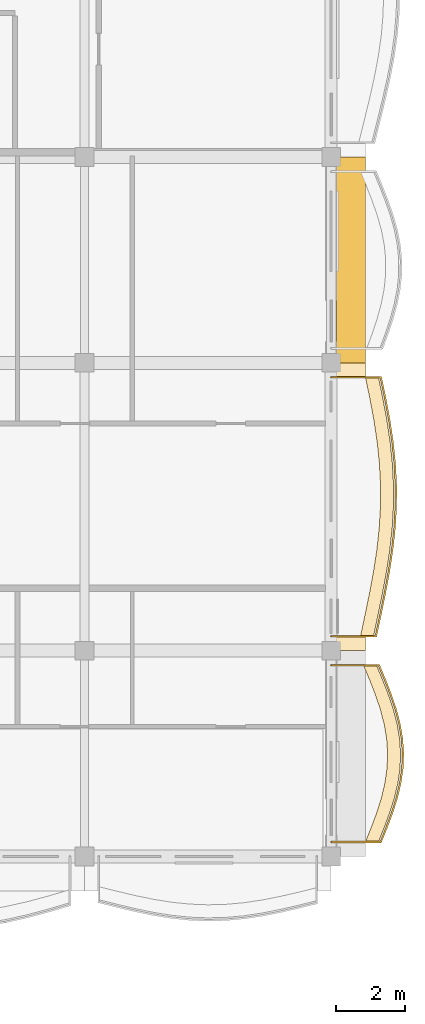
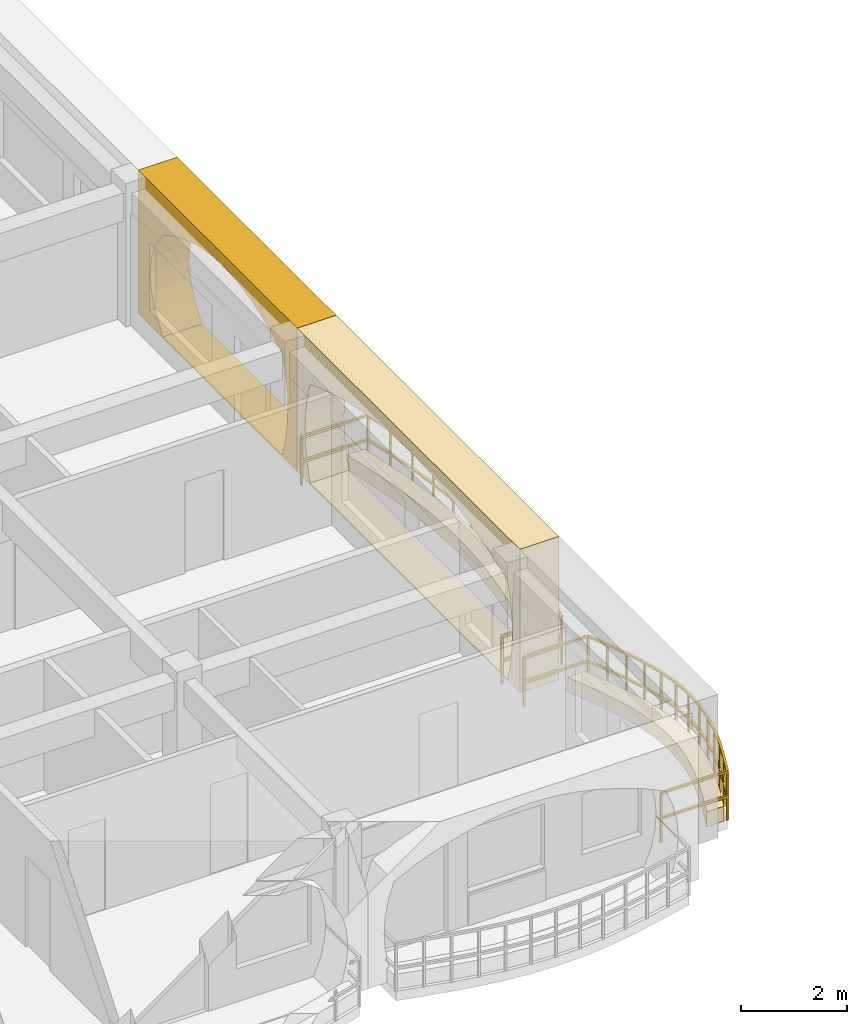
# One storey, part 93 of 101: 4 coverings, 2 railings.
"""IFC4 building model written with IfcOpenShell, lengths in metres."""

from ifc_helpers import new_model, si_unit, direction, frame, origin, origin_2d, place, context, subcontext, project, spatial, polyline, rectangle, outline, extrude, material, layer, layer_set, type_object, element, save


model = new_model("IFC4")

# Units and contexts
model_context = context("Model", 3, precision=1e-05, world=origin(), true_north=direction((0.0, 1.0)))
body_context = subcontext(model_context, "Body", "Model", "MODEL_VIEW")
ifc_project = project(units=[si_unit("LENGTHUNIT", "METRE"), si_unit("AREAUNIT", "SQUARE_METRE"), si_unit("VOLUMEUNIT", "CUBIC_METRE"), si_unit("PLANEANGLEUNIT", "RADIAN"), si_unit("MASSUNIT", "GRAM", prefix="KILO"), si_unit("THERMODYNAMICTEMPERATUREUNIT", "KELVIN")], contexts=[model_context])

# Site, building, storey
site_placement = place(None, origin())
site = spatial("IfcSite", under=ifc_project, at=site_placement, CompositionType="ELEMENT")
building_placement = place(site_placement, origin())
building = spatial("IfcBuilding", under=site, at=building_placement, Name="Thalorik Housing Commons", CompositionType="ELEMENT")
storey_placement = place(building_placement, frame((0.0, 0.0, 8.10009765625)))
storey = spatial("IfcBuildingStorey", under=building, at=storey_placement, Name="L02", CompositionType="ELEMENT", Elevation=8.10009765625)

# Coverings
ifc_material_1 = material(Name="Precast concrete C40/50", Category="concrete")
ifc_layer_1 = layer(ifc_material_1, 0.85009765625, Name="Precast concrete C40/50", Category="concrete")
ifc_layer_set_1 = layer_set([ifc_layer_1], Name="Precast concrete C40/50")
covering_type_1 = type_object("IfcCoveringType", Name="ARC-CLD-CUSH-850", PredefinedType="CLADDING", material=ifc_layer_set_1)
covering_1_placement = place(storey_placement, frame((174.577392578125, 47.39990234375, 0.0), z_axis=(0.0, 0.0, 1.0), x_axis=(0.0, 1.0, 0.0)))
element("IfcCovering", 1, at=covering_1_placement, inside=storey, type_object=covering_type_1, Name="L02 White Precast Curved Cushion Bay Frame 4674", PredefinedType="CLADDING", context=body_context, shape_type="SweptSolid", body=[
    extrude(outline(polyline([(-4.199951171875, 0.0), (4.199951171875, 0.0), (4.199951171875, 3.300048828125), (-4.199951171875, 3.300048828125), (-4.199951171875, 0.0)]), holes=[polyline([(3.7177734375, 0.02490234375), (3.819580078125, 0.404296875), (3.880615234375, 0.783203125), (3.90087890625, 1.16259765625), (3.880615234375, 1.541748046875), (3.819580078125, 1.9208984375), (3.7177734375, 2.300048828125), (3.095947265625, 2.525390625), (2.47412109375, 2.7021484375), (1.85205078125, 2.845458984375), (1.230224609375, 2.951904296875), (0.6083984375, 3.017822265625), (-0.013671875, 3.0400390625), (-0.635498046875, 3.017822265625), (-1.25732421875, 2.951904296875), (-1.87939453125, 2.845458984375), (-2.501220703125, 2.7021484375), (-3.123046875, 2.525390625), (-3.7451171875, 2.300048828125), (-3.841064453125, 1.9208984375), (-3.898681640625, 1.541748046875), (-3.91796875, 1.16259765625), (-3.898681640625, 0.783203125), (-3.841064453125, 0.404296875), (-3.7451171875, 0.02490234375), (3.7177734375, 0.02490234375)])]), frame((0.0, 0.425048828125, 0.0), z_axis=(0.0, -1.0, 0.0), x_axis=(1.0, 0.0, 0.0)), (0.0, 0.0, 1.0), 0.85009765625),
])
covering_2_placement = place(storey_placement, frame((174.577392578125, 54.60009765625, 0.0), z_axis=(0.0, 0.0, 1.0), x_axis=(0.0, 1.0, 0.0)))
element("IfcCovering", 2, at=covering_2_placement, inside=storey, type_object=covering_type_1, Name="L02 White Precast Curved Cushion Bay Frame 4676", PredefinedType="CLADDING", context=body_context, shape_type="SweptSolid", body=[
    extrude(outline(polyline([(-3.0, 0.0), (3.0, 0.0), (3.0, 3.300048828125), (-3.0, 3.300048828125), (-3.0, 0.0)]), holes=[polyline([(2.06494140625, 0.02490234375), (2.33447265625, 0.415771484375), (2.49609375, 0.806640625), (2.550048828125, 1.197509765625), (2.49609375, 1.58837890625), (2.33447265625, 1.979248046875), (2.06494140625, 2.3701171875), (1.6904296875, 2.573974609375), (1.31591796875, 2.734130859375), (0.94140625, 2.864013671875), (0.566650390625, 2.960205078125), (0.192138671875, 3.02001953125), (-0.1826171875, 3.0400390625), (-0.55712890625, 3.02001953125), (-0.931640625, 2.960205078125), (-1.30615234375, 2.864013671875), (-1.680908203125, 2.734130859375), (-2.055419921875, 2.573974609375), (-2.429931640625, 2.3701171875), (-2.55029296875, 1.979248046875), (-2.62255859375, 1.58837890625), (-2.646484375, 1.197509765625), (-2.62255859375, 0.806640625), (-2.55029296875, 0.415771484375), (-2.429931640625, 0.02490234375), (2.06494140625, 0.02490234375)])]), frame((0.0, 0.425048828125, 0.0), z_axis=(0.0, -1.0, 0.0), x_axis=(1.0, 0.0, 0.0)), (0.0, 0.0, 1.0), 0.85009765625),
])
ifc_material_2 = material(Name="Planted vegetated substrate and terracotta trough", Category="masonry")
ifc_layer_2 = layer(ifc_material_2, 0.340087890625, Name="Planted vegetated substrate and terracotta trough", Category="masonry")
ifc_layer_set_2 = layer_set([ifc_layer_2], Name="Planted vegetated substrate and terracotta trough")
covering_type_2 = type_object("IfcCoveringType", Name="ARC-COV-PLANTER", PredefinedType="USERDEFINED", material=ifc_layer_set_2)
covering_3_placement = place(storey_placement, origin())
element("IfcCovering", 3, at=covering_3_placement, inside=storey, type_object=covering_type_2, Name="L02 Balcony Slab-Edge Planted Trough 5645", ObjectType="PLANTER", PredefinedType="USERDEFINED", context=body_context, shape_type="SweptSolid", body=[
    extrude(outline(polyline([(175.376220703125, 37.6201171875), (175.55029296875, 38.050048828125), (175.710205078125, 38.47998046875), (175.845458984375, 38.909912109375), (175.947265625, 39.340087890625), (176.0087890625, 39.77001953125), (176.02587890625, 40.199951171875), (175.997314453125, 40.6298828125), (175.9248046875, 41.06005859375), (175.8125, 41.489990234375), (175.668212890625, 41.919921875), (175.50048828125, 42.35009765625), (175.32080078125, 42.780029296875), (174.940673828125, 42.780029296875), (175.12060546875, 42.35009765625), (175.2880859375, 41.919921875), (175.4326171875, 41.489990234375), (175.544677734375, 41.06005859375), (175.6171875, 40.6298828125), (175.64599609375, 40.199951171875), (175.62890625, 39.77001953125), (175.567138671875, 39.340087890625), (175.46533203125, 38.909912109375), (175.330078125, 38.47998046875), (175.170166015625, 38.050048828125), (174.996337890625, 37.6201171875), (175.376220703125, 37.6201171875)])), origin(), (0.0, 0.0, 1.0), 0.33984375),
])
covering_4_placement = place(storey_placement, origin())
element("IfcCovering", 4, at=covering_4_placement, inside=storey, type_object=covering_type_2, Name="L02 Balcony Slab-Edge Planted Trough 5646", ObjectType="PLANTER", PredefinedType="USERDEFINED", context=body_context, shape_type="SweptSolid", body=[
    extrude(outline(polyline([(175.234130859375, 43.6201171875), (175.367919921875, 44.25), (175.49755859375, 44.8798828125), (175.614501953125, 45.510009765625), (175.710693359375, 46.139892578125), (175.779541015625, 46.77001953125), (175.816650390625, 47.39990234375), (175.81884765625, 48.030029296875), (175.786376953125, 48.659912109375), (175.720947265625, 49.2900390625), (175.626708984375, 49.919921875), (175.510009765625, 50.550048828125), (175.378662109375, 51.179931640625), (174.99853515625, 51.179931640625), (175.1298828125, 50.550048828125), (175.24658203125, 49.919921875), (175.3408203125, 49.2900390625), (175.406494140625, 48.659912109375), (175.43896484375, 48.030029296875), (175.4365234375, 47.39990234375), (175.399658203125, 46.77001953125), (175.330810546875, 46.139892578125), (175.234619140625, 45.510009765625), (175.11767578125, 44.8798828125), (174.98779296875, 44.25), (174.854248046875, 43.6201171875), (175.234130859375, 43.6201171875)])), origin(), (0.0, 0.0, 1.0), 0.33984375),
])

# Railings
ifc_material_3 = material(Name="Steel S355", Category="steel")
railing_type_1 = type_object("IfcRailingType", Name="ARC-RL-BAL-112", PredefinedType="BALUSTRADE", material=ifc_material_3)
railing_1_placement = place(storey_placement, frame((174.0, 43.6201171875, 0.0)))
element("IfcRailing", 5, at=railing_1_placement, inside=storey, type_object=railing_type_1, Name="L02 Cushion Balcony Guardrail 330", PredefinedType="BALUSTRADE", context=body_context, shape_type="SweptSolid", body=[
    extrude(rectangle(XDim=0.050048828125, YDim=0.050048828125, at=origin_2d()), frame((0.0, 0.0, 1.09521484375), z_axis=(1.0, 0.0, 0.0), x_axis=(0.0, 1.0, 0.0)), (0.0, 0.0, 1.0), 1.30419921875),
    extrude(rectangle(XDim=0.050048828125, YDim=0.050048828125, at=origin_2d()), frame((0.0, 0.0, 0.53515625), z_axis=(1.0, 0.0, 0.0), x_axis=(0.0, 1.0, 0.0)), (0.0, 0.0, 1.0), 1.30419921875),
    extrude(rectangle(XDim=0.050048828125, YDim=0.050048828125, at=origin_2d()), frame((1.30419921875, 0.0, 1.09521484375), z_axis=(0.207768065423, 0.978178118233, 0.0), x_axis=(-0.978178118233, 0.207768065423, 0.0)), (0.0, 0.0, 1.0), 0.64404296875),
    extrude(rectangle(XDim=0.050048828125, YDim=0.050048828125, at=origin_2d()), frame((1.30419921875, 0.0, 0.53515625), z_axis=(0.207768065423, 0.978178118233, 0.0), x_axis=(-0.978178118233, 0.207768065423, 0.0)), (0.0, 0.0, 1.0), 0.64404296875),
    extrude(rectangle(XDim=0.050048828125, YDim=0.050048828125, at=origin_2d()), frame((1.43798828125, 0.6298828125, 1.09521484375), z_axis=(0.201588649293, 0.979470273401, 0.0), x_axis=(-0.979470273401, 0.201588649293, 0.0)), (0.0, 0.0, 1.0), 0.64306640625),
    extrude(rectangle(XDim=0.050048828125, YDim=0.050048828125, at=origin_2d()), frame((1.43798828125, 0.6298828125, 0.53515625), z_axis=(0.201588649293, 0.979470273401, 0.0), x_axis=(-0.979470273401, 0.201588649293, 0.0)), (0.0, 0.0, 1.0), 0.64306640625),
    extrude(rectangle(XDim=0.050048828125, YDim=0.050048828125, at=origin_2d()), frame((1.567626953125, 1.259765625, 1.09521484375), z_axis=(0.182471198861, 0.983211198872, 0.0), x_axis=(-0.983211198872, 0.182471198861, 0.0)), (0.0, 0.0, 1.0), 0.640869140625),
    extrude(rectangle(XDim=0.050048828125, YDim=0.050048828125, at=origin_2d()), frame((1.567626953125, 1.259765625, 0.53515625), z_axis=(0.182471198861, 0.983211198872, 0.0), x_axis=(-0.983211198872, 0.182471198861, 0.0)), (0.0, 0.0, 1.0), 0.640869140625),
    extrude(rectangle(XDim=0.050048828125, YDim=0.050048828125, at=origin_2d()), frame((1.6845703125, 1.889892578125, 1.09521484375), z_axis=(0.150962995847, 0.988539414432, 0.0), x_axis=(-0.988539414432, 0.150962995847, 0.0)), (0.0, 0.0, 1.0), 0.63720703125),
    extrude(rectangle(XDim=0.050048828125, YDim=0.050048828125, at=origin_2d()), frame((1.6845703125, 1.889892578125, 0.53515625), z_axis=(0.150962995847, 0.988539414432, 0.0), x_axis=(-0.988539414432, 0.150962995847, 0.0)), (0.0, 0.0, 1.0), 0.63720703125),
    extrude(rectangle(XDim=0.050048828125, YDim=0.050048828125, at=origin_2d()), frame((1.78076171875, 2.519775390625, 1.09521484375), z_axis=(0.108613599509, 0.994084043732, 0.0), x_axis=(-0.994084043732, 0.108613599509, 0.0)), (0.0, 0.0, 1.0), 0.6337890625),
    extrude(rectangle(XDim=0.050048828125, YDim=0.050048828125, at=origin_2d()), frame((1.78076171875, 2.519775390625, 0.53515625), z_axis=(0.108613599509, 0.994084043732, 0.0), x_axis=(-0.994084043732, 0.108613599509, 0.0)), (0.0, 0.0, 1.0), 0.6337890625),
    extrude(rectangle(XDim=0.050048828125, YDim=0.050048828125, at=origin_2d()), frame((1.849609375, 3.14990234375, 1.09521484375), z_axis=(0.05881274918, 0.998269032142, 0.0), x_axis=(-0.998269032142, 0.05881274918, 0.0)), (0.0, 0.0, 1.0), 0.630859375),
    extrude(rectangle(XDim=0.050048828125, YDim=0.050048828125, at=origin_2d()), frame((1.849609375, 3.14990234375, 0.53515625), z_axis=(0.05881274918, 0.998269032142, 0.0), x_axis=(-0.998269032142, 0.05881274918, 0.0)), (0.0, 0.0, 1.0), 0.630859375),
    extrude(rectangle(XDim=0.050048828125, YDim=0.050048828125, at=origin_2d()), frame((1.88671875, 3.77978515625, 1.09521484375), z_axis=(0.003486999335, 0.999993920399, 0.0), x_axis=(-0.999993920399, 0.003486999335, 0.0)), (0.0, 0.0, 1.0), 0.630126953125),
    extrude(rectangle(XDim=0.050048828125, YDim=0.050048828125, at=origin_2d()), frame((1.88671875, 3.77978515625, 0.53515625), z_axis=(0.003486999335, 0.999993920399, 0.0), x_axis=(-0.999993920399, 0.003486999335, 0.0)), (0.0, 0.0, 1.0), 0.630126953125),
    extrude(rectangle(XDim=0.050048828125, YDim=0.050048828125, at=origin_2d()), frame((1.888916015625, 4.409912109375, 1.09521484375), z_axis=(-0.051482027719, 0.998673921168, 0.0), x_axis=(-0.998673921168, -0.051482027719, 0.0)), (0.0, 0.0, 1.0), 0.630615234375),
    extrude(rectangle(XDim=0.050048828125, YDim=0.050048828125, at=origin_2d()), frame((1.888916015625, 4.409912109375, 0.53515625), z_axis=(-0.051482027719, 0.998673921168, 0.0), x_axis=(-0.998673921168, -0.051482027719, 0.0)), (0.0, 0.0, 1.0), 0.630615234375),
    extrude(rectangle(XDim=0.050048828125, YDim=0.050048828125, at=origin_2d()), frame((1.8564453125, 5.039794921875, 1.09521484375), z_axis=(-0.103280437855, 0.994652276505, 0.0), x_axis=(-0.994652276505, -0.103280437855, 0.0)), (0.0, 0.0, 1.0), 0.633544921875),
    extrude(rectangle(XDim=0.050048828125, YDim=0.050048828125, at=origin_2d()), frame((1.8564453125, 5.039794921875, 0.53515625), z_axis=(-0.103280437855, 0.994652276505, 0.0), x_axis=(-0.994652276505, -0.103280437855, 0.0)), (0.0, 0.0, 1.0), 0.633544921875),
    extrude(rectangle(XDim=0.050048828125, YDim=0.050048828125, at=origin_2d()), frame((1.791015625, 5.669921875, 1.09521484375), z_axis=(-0.147965546983, 0.988992516102, 0.0), x_axis=(-0.988992516102, -0.147965546983, 0.0)), (0.0, 0.0, 1.0), 0.636962890625),
    extrude(rectangle(XDim=0.050048828125, YDim=0.050048828125, at=origin_2d()), frame((1.791015625, 5.669921875, 0.53515625), z_axis=(-0.147965546983, 0.988992516102, 0.0), x_axis=(-0.988992516102, -0.147965546983, 0.0)), (0.0, 0.0, 1.0), 0.636962890625),
    extrude(rectangle(XDim=0.050048828125, YDim=0.050048828125, at=origin_2d()), frame((1.69677734375, 6.2998046875, 1.09521484375), z_axis=(-0.18210290227, 0.983279478574, 0.0), x_axis=(-0.983279478574, -0.18210290227, 0.0)), (0.0, 0.0, 1.0), 0.640869140625),
    extrude(rectangle(XDim=0.050048828125, YDim=0.050048828125, at=origin_2d()), frame((1.69677734375, 6.2998046875, 0.53515625), z_axis=(-0.18210290227, 0.983279478574, 0.0), x_axis=(-0.983279478574, -0.18210290227, 0.0)), (0.0, 0.0, 1.0), 0.640869140625),
    extrude(rectangle(XDim=0.050048828125, YDim=0.050048828125, at=origin_2d()), frame((1.580078125, 6.929931640625, 1.09521484375), z_axis=(-0.204499657567, 0.978866635479, 0.0), x_axis=(-0.978866635479, -0.204499657567, 0.0)), (0.0, 0.0, 1.0), 0.6435546875),
    extrude(rectangle(XDim=0.050048828125, YDim=0.050048828125, at=origin_2d()), frame((1.580078125, 6.929931640625, 0.53515625), z_axis=(-0.204499657567, 0.978866635479, 0.0), x_axis=(-0.978866635479, -0.204499657567, 0.0)), (0.0, 0.0, 1.0), 0.6435546875),
    extrude(rectangle(XDim=0.050048828125, YDim=0.050048828125, at=origin_2d()), frame((1.448486328125, 7.559814453125, 1.09521484375), z_axis=(-1.0, 0.0, 0.0), x_axis=(0.0, -1.0, 0.0)), (0.0, 0.0, 1.0), 1.448486328125),
    extrude(rectangle(XDim=0.050048828125, YDim=0.050048828125, at=origin_2d()), frame((1.448486328125, 7.559814453125, 0.53515625), z_axis=(-1.0, 0.0, 0.0), x_axis=(0.0, -1.0, 0.0)), (0.0, 0.0, 1.0), 1.448486328125),
    extrude(rectangle(XDim=0.0419921875, YDim=0.0419921875, at=origin_2d()), origin(), (0.0, 0.0, 1.0), 1.070068359375),
    extrude(rectangle(XDim=0.0419921875, YDim=0.0419921875, at=origin_2d()), frame((1.30419921875, 0.0, 0.0)), (0.0, 0.0, 1.0), 1.070068359375),
    extrude(rectangle(XDim=0.0419921875, YDim=0.0419921875, at=origin_2d()), frame((1.43798828125, 0.6298828125, 0.0)), (0.0, 0.0, 1.0), 1.070068359375),
    extrude(rectangle(XDim=0.0419921875, YDim=0.0419921875, at=origin_2d()), frame((1.567626953125, 1.259765625, 0.0)), (0.0, 0.0, 1.0), 1.070068359375),
    extrude(rectangle(XDim=0.0419921875, YDim=0.0419921875, at=origin_2d()), frame((1.6845703125, 1.889892578125, 0.0)), (0.0, 0.0, 1.0), 1.070068359375),
    extrude(rectangle(XDim=0.0419921875, YDim=0.0419921875, at=origin_2d()), frame((1.78076171875, 2.519775390625, 0.0)), (0.0, 0.0, 1.0), 1.070068359375),
    extrude(rectangle(XDim=0.0419921875, YDim=0.0419921875, at=origin_2d()), frame((1.849609375, 3.14990234375, 0.0)), (0.0, 0.0, 1.0), 1.070068359375),
    extrude(rectangle(XDim=0.0419921875, YDim=0.0419921875, at=origin_2d()), frame((1.88671875, 3.77978515625, 0.0)), (0.0, 0.0, 1.0), 1.070068359375),
    extrude(rectangle(XDim=0.0419921875, YDim=0.0419921875, at=origin_2d()), frame((1.888916015625, 4.409912109375, 0.0)), (0.0, 0.0, 1.0), 1.070068359375),
    extrude(rectangle(XDim=0.0419921875, YDim=0.0419921875, at=origin_2d()), frame((1.8564453125, 5.039794921875, 0.0)), (0.0, 0.0, 1.0), 1.070068359375),
    extrude(rectangle(XDim=0.0419921875, YDim=0.0419921875, at=origin_2d()), frame((1.791015625, 5.669921875, 0.0)), (0.0, 0.0, 1.0), 1.070068359375),
    extrude(rectangle(XDim=0.0419921875, YDim=0.0419921875, at=origin_2d()), frame((1.69677734375, 6.2998046875, 0.0)), (0.0, 0.0, 1.0), 1.070068359375),
    extrude(rectangle(XDim=0.0419921875, YDim=0.0419921875, at=origin_2d()), frame((1.580078125, 6.929931640625, 0.0)), (0.0, 0.0, 1.0), 1.070068359375),
    extrude(rectangle(XDim=0.0419921875, YDim=0.0419921875, at=origin_2d()), frame((1.448486328125, 7.559814453125, 0.0)), (0.0, 0.0, 1.0), 1.070068359375),
    extrude(rectangle(XDim=0.0419921875, YDim=0.0419921875, at=origin_2d()), frame((0.0, 7.559814453125, 0.0)), (0.0, 0.0, 1.0), 1.070068359375),
])
railing_type_2 = type_object("IfcRailingType", Name="ARC-RL-BAL-115", PredefinedType="BALUSTRADE", material=ifc_material_3)
railing_2_placement = place(storey_placement, frame((174.0, 37.6201171875, 0.0)))
element("IfcRailing", 6, at=railing_2_placement, inside=storey, type_object=railing_type_2, Name="L02 Cushion Balcony Guardrail 329", PredefinedType="BALUSTRADE", context=body_context, shape_type="SweptSolid", body=[
    extrude(rectangle(XDim=0.050048828125, YDim=0.050048828125, at=origin_2d()), frame((0.0, 0.0, 1.125), z_axis=(1.0, 0.0, 0.0), x_axis=(0.0, 1.0, 0.0)), (0.0, 0.0, 1.0), 1.4462890625),
    extrude(rectangle(XDim=0.050048828125, YDim=0.050048828125, at=origin_2d()), frame((0.0, 0.0, 0.5498046875), z_axis=(1.0, 0.0, 0.0), x_axis=(0.0, 1.0, 0.0)), (0.0, 0.0, 1.0), 1.4462890625),
    extrude(rectangle(XDim=0.050048828125, YDim=0.050048828125, at=origin_2d()), frame((1.4462890625, 0.0, 1.125), z_axis=(0.374837314047, 0.927090603985, 0.0), x_axis=(-0.927090603985, 0.374837314047, 0.0)), (0.0, 0.0, 1.0), 0.463623046875),
    extrude(rectangle(XDim=0.050048828125, YDim=0.050048828125, at=origin_2d()), frame((1.4462890625, 0.0, 0.5498046875), z_axis=(0.374837314047, 0.927090603985, 0.0), x_axis=(-0.927090603985, 0.374837314047, 0.0)), (0.0, 0.0, 1.0), 0.463623046875),
    extrude(rectangle(XDim=0.050048828125, YDim=0.050048828125, at=origin_2d()), frame((1.6201171875, 0.429931640625, 1.125), z_axis=(0.348614114269, 0.93726634386, 0.0), x_axis=(-0.93726634386, 0.348614114269, 0.0)), (0.0, 0.0, 1.0), 0.458740234375),
    extrude(rectangle(XDim=0.050048828125, YDim=0.050048828125, at=origin_2d()), frame((1.6201171875, 0.429931640625, 0.5498046875), z_axis=(0.348614114269, 0.93726634386, 0.0), x_axis=(-0.93726634386, 0.348614114269, 0.0)), (0.0, 0.0, 1.0), 0.458740234375),
    extrude(rectangle(XDim=0.050048828125, YDim=0.050048828125, at=origin_2d()), frame((1.780029296875, 0.85986328125, 1.125), z_axis=(0.300094208559, 0.953909569084, 0.0), x_axis=(-0.953909569084, 0.300094208559, 0.0)), (0.0, 0.0, 1.0), 0.45068359375),
    extrude(rectangle(XDim=0.050048828125, YDim=0.050048828125, at=origin_2d()), frame((1.780029296875, 0.85986328125, 0.5498046875), z_axis=(0.300094208559, 0.953909569084, 0.0), x_axis=(-0.953909569084, 0.300094208559, 0.0)), (0.0, 0.0, 1.0), 0.45068359375),
    extrude(rectangle(XDim=0.050048828125, YDim=0.050048828125, at=origin_2d()), frame((1.915283203125, 1.289794921875, 1.125), z_axis=(0.230301239443, 0.973119385847, 0.0), x_axis=(-0.973119385847, 0.230301239443, 0.0)), (0.0, 0.0, 1.0), 0.442138671875),
    extrude(rectangle(XDim=0.050048828125, YDim=0.050048828125, at=origin_2d()), frame((1.915283203125, 1.289794921875, 0.5498046875), z_axis=(0.230301239443, 0.973119385847, 0.0), x_axis=(-0.973119385847, 0.230301239443, 0.0)), (0.0, 0.0, 1.0), 0.442138671875),
    extrude(rectangle(XDim=0.050048828125, YDim=0.050048828125, at=origin_2d()), frame((2.01708984375, 1.719970703125, 1.125), z_axis=(0.142208234594, 0.989836763317, 0.0), x_axis=(-0.989836763317, 0.142208234594, 0.0)), (0.0, 0.0, 1.0), 0.434326171875),
    extrude(rectangle(XDim=0.050048828125, YDim=0.050048828125, at=origin_2d()), frame((2.01708984375, 1.719970703125, 0.5498046875), z_axis=(0.142208234594, 0.989836763317, 0.0), x_axis=(-0.989836763317, 0.142208234594, 0.0)), (0.0, 0.0, 1.0), 0.434326171875),
    extrude(rectangle(XDim=0.050048828125, YDim=0.050048828125, at=origin_2d()), frame((2.078857421875, 2.14990234375, 1.125), z_axis=(0.039718775053, 0.999210898113, 0.0), x_axis=(-0.999210898113, 0.039718775053, 0.0)), (0.0, 0.0, 1.0), 0.43017578125),
    extrude(rectangle(XDim=0.050048828125, YDim=0.050048828125, at=origin_2d()), frame((2.078857421875, 2.14990234375, 0.5498046875), z_axis=(0.039718775053, 0.999210898113, 0.0), x_axis=(-0.999210898113, 0.039718775053, 0.0)), (0.0, 0.0, 1.0), 0.43017578125),
    extrude(rectangle(XDim=0.050048828125, YDim=0.050048828125, at=origin_2d()), frame((2.095947265625, 2.579833984375, 1.125), z_axis=(-0.06629336768, 0.997800175086, 0.0), x_axis=(-0.997800175086, -0.06629336768, 0.0)), (0.0, 0.0, 1.0), 0.430908203125),
    extrude(rectangle(XDim=0.050048828125, YDim=0.050048828125, at=origin_2d()), frame((2.095947265625, 2.579833984375, 0.5498046875), z_axis=(-0.06629336768, 0.997800175086, 0.0), x_axis=(-0.997800175086, -0.06629336768, 0.0)), (0.0, 0.0, 1.0), 0.430908203125),
    extrude(rectangle(XDim=0.050048828125, YDim=0.050048828125, at=origin_2d()), frame((2.0673828125, 3.009765625, 1.125), z_axis=(-0.166757870169, 0.985997876639, 0.0), x_axis=(-0.985997876639, -0.166757870169, 0.0)), (0.0, 0.0, 1.0), 0.436279296875),
    extrude(rectangle(XDim=0.050048828125, YDim=0.050048828125, at=origin_2d()), frame((2.0673828125, 3.009765625, 0.5498046875), z_axis=(-0.166757870169, 0.985997876639, 0.0), x_axis=(-0.985997876639, -0.166757870169, 0.0)), (0.0, 0.0, 1.0), 0.436279296875),
    extrude(rectangle(XDim=0.050048828125, YDim=0.050048828125, at=origin_2d()), frame((1.99462890625, 3.43994140625, 1.125), z_axis=(-0.252220570388, 0.967669770052, 0.0), x_axis=(-0.967669770052, -0.252220570388, 0.0)), (0.0, 0.0, 1.0), 0.4443359375),
    extrude(rectangle(XDim=0.050048828125, YDim=0.050048828125, at=origin_2d()), frame((1.99462890625, 3.43994140625, 0.5498046875), z_axis=(-0.252220570388, 0.967669770052, 0.0), x_axis=(-0.967669770052, -0.252220570388, 0.0)), (0.0, 0.0, 1.0), 0.4443359375),
    extrude(rectangle(XDim=0.050048828125, YDim=0.050048828125, at=origin_2d()), frame((1.882568359375, 3.869873046875, 1.125), z_axis=(-0.318648897539, 0.947872818524, 0.0), x_axis=(-0.947872818524, -0.318648897539, 0.0)), (0.0, 0.0, 1.0), 0.45361328125),
    extrude(rectangle(XDim=0.050048828125, YDim=0.050048828125, at=origin_2d()), frame((1.882568359375, 3.869873046875, 0.5498046875), z_axis=(-0.318648897539, 0.947872818524, 0.0), x_axis=(-0.947872818524, -0.318648897539, 0.0)), (0.0, 0.0, 1.0), 0.45361328125),
    extrude(rectangle(XDim=0.050048828125, YDim=0.050048828125, at=origin_2d()), frame((1.738037109375, 4.2998046875, 1.125), z_axis=(-0.362803539532, 0.931865651102, 0.0), x_axis=(-0.931865651102, -0.362803539532, 0.0)), (0.0, 0.0, 1.0), 0.461669921875),
    extrude(rectangle(XDim=0.050048828125, YDim=0.050048828125, at=origin_2d()), frame((1.738037109375, 4.2998046875, 0.5498046875), z_axis=(-0.362803539532, 0.931865651102, 0.0), x_axis=(-0.931865651102, -0.362803539532, 0.0)), (0.0, 0.0, 1.0), 0.461669921875),
    extrude(rectangle(XDim=0.050048828125, YDim=0.050048828125, at=origin_2d()), frame((1.570556640625, 4.72998046875, 1.125), z_axis=(-0.386065526425, 0.922471359613, 0.0), x_axis=(-0.922471359613, -0.386065526425, 0.0)), (0.0, 0.0, 1.0), 0.466064453125),
    extrude(rectangle(XDim=0.050048828125, YDim=0.050048828125, at=origin_2d()), frame((1.570556640625, 4.72998046875, 0.5498046875), z_axis=(-0.386065526425, 0.922471359613, 0.0), x_axis=(-0.922471359613, -0.386065526425, 0.0)), (0.0, 0.0, 1.0), 0.466064453125),
    extrude(rectangle(XDim=0.050048828125, YDim=0.050048828125, at=origin_2d()), frame((1.390625, 5.159912109375, 1.125), z_axis=(-1.0, 0.0, 0.0), x_axis=(0.0, -1.0, 0.0)), (0.0, 0.0, 1.0), 1.390625),
    extrude(rectangle(XDim=0.050048828125, YDim=0.050048828125, at=origin_2d()), frame((1.390625, 5.159912109375, 0.5498046875), z_axis=(-1.0, 0.0, 0.0), x_axis=(0.0, -1.0, 0.0)), (0.0, 0.0, 1.0), 1.390625),
    extrude(rectangle(XDim=0.0419921875, YDim=0.0419921875, at=origin_2d()), origin(), (0.0, 0.0, 1.0), 1.099853515625),
    extrude(rectangle(XDim=0.0419921875, YDim=0.0419921875, at=origin_2d()), frame((1.4462890625, 0.0, 0.0)), (0.0, 0.0, 1.0), 1.099853515625),
    extrude(rectangle(XDim=0.0419921875, YDim=0.0419921875, at=origin_2d()), frame((1.6201171875, 0.429931640625, 0.0)), (0.0, 0.0, 1.0), 1.099853515625),
    extrude(rectangle(XDim=0.0419921875, YDim=0.0419921875, at=origin_2d()), frame((1.780029296875, 0.85986328125, 0.0)), (0.0, 0.0, 1.0), 1.099853515625),
    extrude(rectangle(XDim=0.0419921875, YDim=0.0419921875, at=origin_2d()), frame((1.915283203125, 1.289794921875, 0.0)), (0.0, 0.0, 1.0), 1.099853515625),
    extrude(rectangle(XDim=0.0419921875, YDim=0.0419921875, at=origin_2d()), frame((2.01708984375, 1.719970703125, 0.0)), (0.0, 0.0, 1.0), 1.099853515625),
    extrude(rectangle(XDim=0.0419921875, YDim=0.0419921875, at=origin_2d()), frame((2.078857421875, 2.14990234375, 0.0)), (0.0, 0.0, 1.0), 1.099853515625),
    extrude(rectangle(XDim=0.0419921875, YDim=0.0419921875, at=origin_2d()), frame((2.095947265625, 2.579833984375, 0.0)), (0.0, 0.0, 1.0), 1.099853515625),
    extrude(rectangle(XDim=0.0419921875, YDim=0.0419921875, at=origin_2d()), frame((2.0673828125, 3.009765625, 0.0)), (0.0, 0.0, 1.0), 1.099853515625),
    extrude(rectangle(XDim=0.0419921875, YDim=0.0419921875, at=origin_2d()), frame((1.99462890625, 3.43994140625, 0.0)), (0.0, 0.0, 1.0), 1.099853515625),
    extrude(rectangle(XDim=0.0419921875, YDim=0.0419921875, at=origin_2d()), frame((1.882568359375, 3.869873046875, 0.0)), (0.0, 0.0, 1.0), 1.099853515625),
    extrude(rectangle(XDim=0.0419921875, YDim=0.0419921875, at=origin_2d()), frame((1.738037109375, 4.2998046875, 0.0)), (0.0, 0.0, 1.0), 1.099853515625),
    extrude(rectangle(XDim=0.0419921875, YDim=0.0419921875, at=origin_2d()), frame((1.570556640625, 4.72998046875, 0.0)), (0.0, 0.0, 1.0), 1.099853515625),
    extrude(rectangle(XDim=0.0419921875, YDim=0.0419921875, at=origin_2d()), frame((1.390625, 5.159912109375, 0.0)), (0.0, 0.0, 1.0), 1.099853515625),
    extrude(rectangle(XDim=0.0419921875, YDim=0.0419921875, at=origin_2d()), frame((0.0, 5.159912109375, 0.0)), (0.0, 0.0, 1.0), 1.099853515625),
])

save(model, "model.ifc")
